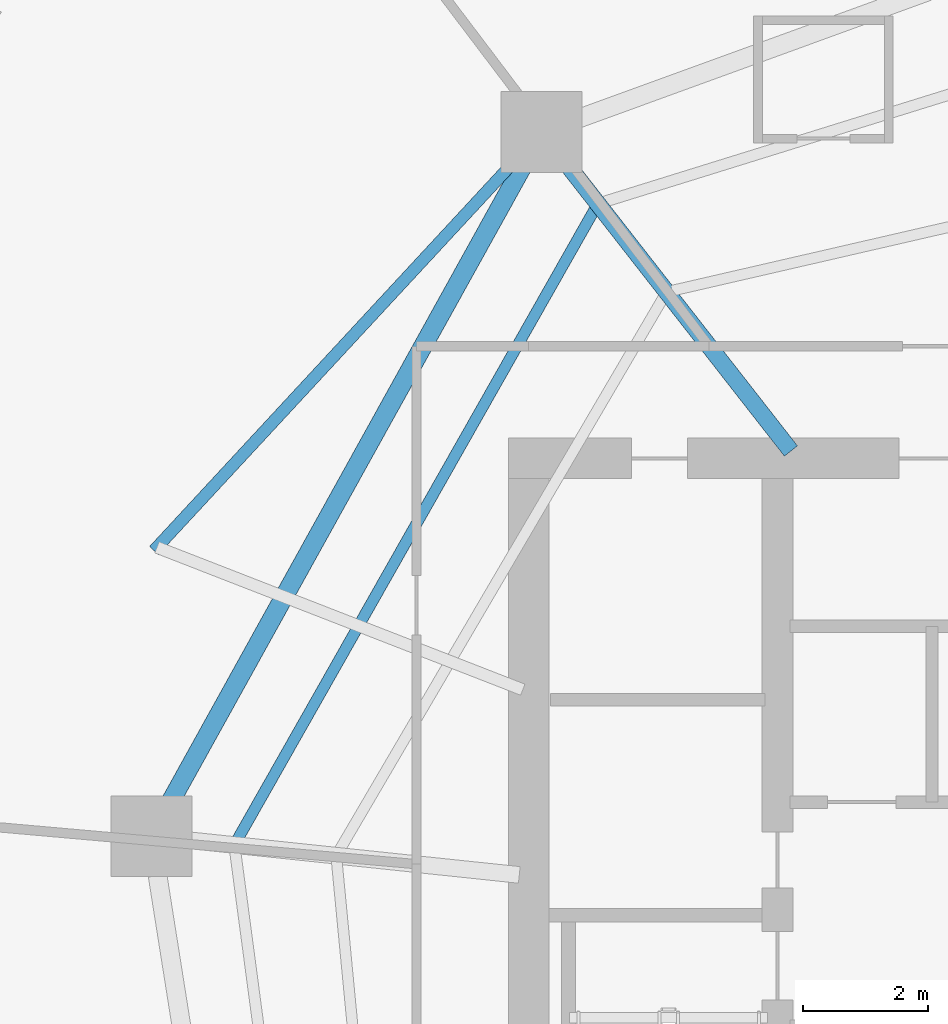
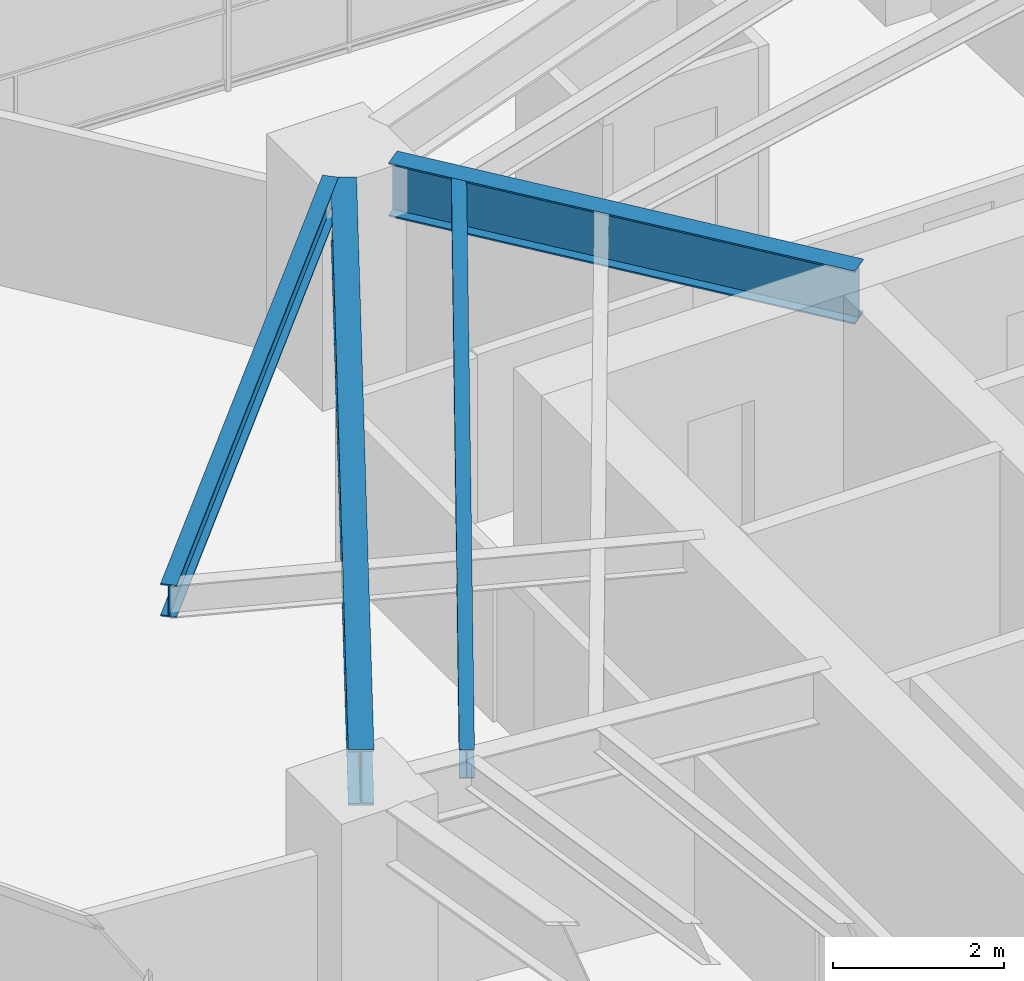
# One storey, part 15 of 30: 4 beams.
"""IFC4 building model written with IfcOpenShell, lengths in metres."""

from ifc_helpers import new_model, si_unit, direction, frame, origin, origin_2d, place, context, subcontext, project, spatial, i_section, extrude, material, material_profile, profile_set, type_object, element, save


model = new_model("IFC4")

# Units and contexts
model_context = context("Model", 3, precision=1e-05, world=origin(), true_north=direction((0.0, 1.0)))
body_context = subcontext(model_context, "Body", "Model", "MODEL_VIEW")
ifc_project = project(units=[si_unit("LENGTHUNIT", "METRE"), si_unit("AREAUNIT", "SQUARE_METRE"), si_unit("VOLUMEUNIT", "CUBIC_METRE"), si_unit("PLANEANGLEUNIT", "RADIAN"), si_unit("MASSUNIT", "GRAM", prefix="KILO")], contexts=[model_context])

# Site, building, storey
site_placement = place(None, origin())
site = spatial("IfcSite", under=ifc_project, at=site_placement, CompositionType="ELEMENT")
building_placement = place(site_placement, origin())
building = spatial("IfcBuilding", under=site, at=building_placement, Name="Qarnah Convention Tower", CompositionType="ELEMENT")
storey_placement = place(building_placement, frame((0.0, 0.0, 58.050048828125)))
storey = spatial("IfcBuildingStorey", under=building, at=storey_placement, Name="L14", CompositionType="ELEMENT", Elevation=58.050048828125)

# Beams
ifc_material = material(Name="Structural steel S355JR", Category="steel")
ifc_material_profile_1 = material_profile(ifc_material, i_section(OverallWidth=0.19189453125, OverallDepth=0.464111328125, WebThickness=0.010986328125, FlangeThickness=0.01806640625, at=origin_2d()), Name="W460X89")
ifc_profile_set_1 = profile_set([ifc_material_profile_1], Name="Structural steel S355JR")
beam_type_1 = type_object("IfcBeamType", Name="BM-CANT-W460A", PredefinedType="BEAM", material=ifc_profile_set_1)
beam_1_placement = place(storey_placement, frame((20.782958984375, 32.719970703125, 2.93798828125), z_axis=(0.679611332191, 0.733572380313, 0.0), x_axis=(-0.733572380313, 0.679611332191, 0.0)))
element("IfcBeam", 1, at=beam_1_placement, inside=storey, type_object=beam_type_1, Name="L14 spandrel BM-L14-CTIE-02", PredefinedType="SPANDREL", context=body_context, shape_type="SweptSolid", body=[
    extrude(i_section(OverallWidth=0.19189453125, OverallDepth=0.464111328125, WebThickness=0.010986328125, FlangeThickness=0.01806640625, at=origin_2d()), origin(), (0.0, 0.0, 1.0), 8.52392578125),
])
ifc_material_profile_2 = material_profile(ifc_material, i_section(OverallWidth=0.177978515625, OverallDepth=0.407958984375, WebThickness=0.008056640625, FlangeThickness=0.012939453125, at=origin_2d()), Name="W410X60")
ifc_profile_set_2 = profile_set([ifc_material_profile_2], Name="Structural steel S355JR")
beam_type_2 = type_object("IfcBeamType", Name="BM-JST-W410", PredefinedType="JOIST", material=ifc_profile_set_2)
beam_2_placement = place(storey_placement, frame((27.867919921875, 38.2109375, 2.966064453125), z_axis=(-0.493168421993, -0.869933852399, 0.0), x_axis=(0.869933852399, -0.493168421993, 0.0)))
element("IfcBeam", 2, at=beam_2_placement, inside=storey, type_object=beam_type_2, Name="L14 joist BM-L14-SJST-04", PredefinedType="JOIST", context=body_context, shape_type="SweptSolid", body=[
    extrude(i_section(OverallWidth=0.177978515625, OverallDepth=0.407958984375, WebThickness=0.008056640625, FlangeThickness=0.012939453125, at=origin_2d()), origin(), (0.0, 0.0, 1.0), 11.659423828125),
])
ifc_material_profile_3 = material_profile(ifc_material, i_section(OverallWidth=0.26806640625, OverallDepth=0.760009765625, WebThickness=0.014892578125, FlangeThickness=0.02197265625, at=origin_2d()), Name="W760X185")
ifc_profile_set_3 = profile_set([ifc_material_profile_3], Name="Structural steel S355JR")
beam_type_3 = type_object("IfcBeamType", Name="BM-RAD-W760", PredefinedType="BEAM", material=ifc_profile_set_3)
beam_3_placement = place(storey_placement, frame((31.013916015625, 34.318115234375, 2.7900390625), z_axis=(-0.61558272574, 0.78807227319, 0.0), x_axis=(-0.78807227319, -0.61558272574, 0.0)))
element("IfcBeam", 3, at=beam_3_placement, inside=storey, type_object=beam_type_3, Name="L14 beam BM-L14-RAD-04", PredefinedType="BEAM", context=body_context, shape_type="SweptSolid", body=[
    extrude(i_section(OverallWidth=0.26806640625, OverallDepth=0.760009765625, WebThickness=0.014892578125, FlangeThickness=0.02197265625, at=origin_2d()), origin(), (0.0, 0.0, 1.0), 5.87255859375),
])
ifc_material_profile_4 = material_profile(ifc_material, i_section(OverallWidth=0.300048828125, OverallDepth=0.800048828125, WebThickness=0.01806640625, FlangeThickness=0.032958984375, at=origin_2d()), Name="HEB800")
ifc_profile_set_4 = profile_set([ifc_material_profile_4], Name="Structural steel S355JR")
beam_type_4 = type_object("IfcBeamType", Name="BM-RING-HEB800", PredefinedType="BEAM", material=ifc_profile_set_4)
beam_4_placement = place(storey_placement, frame((26.700927734375, 38.882080078125, 2.77001953125), z_axis=(-0.484829813426, -0.874608513572, 0.0), x_axis=(0.874608513572, -0.484829813426, 0.0)))
element("IfcBeam", 4, at=beam_4_placement, inside=storey, type_object=beam_type_4, Name="L14 beam BM-L14-SPN-04", PredefinedType="BEAM", context=body_context, shape_type="SweptSolid", body=[
    extrude(i_section(OverallWidth=0.300048828125, OverallDepth=0.800048828125, WebThickness=0.01806640625, FlangeThickness=0.032958984375, at=origin_2d()), origin(), (0.0, 0.0, 1.0), 11.6533203125),
])

save(model, "model.ifc")
